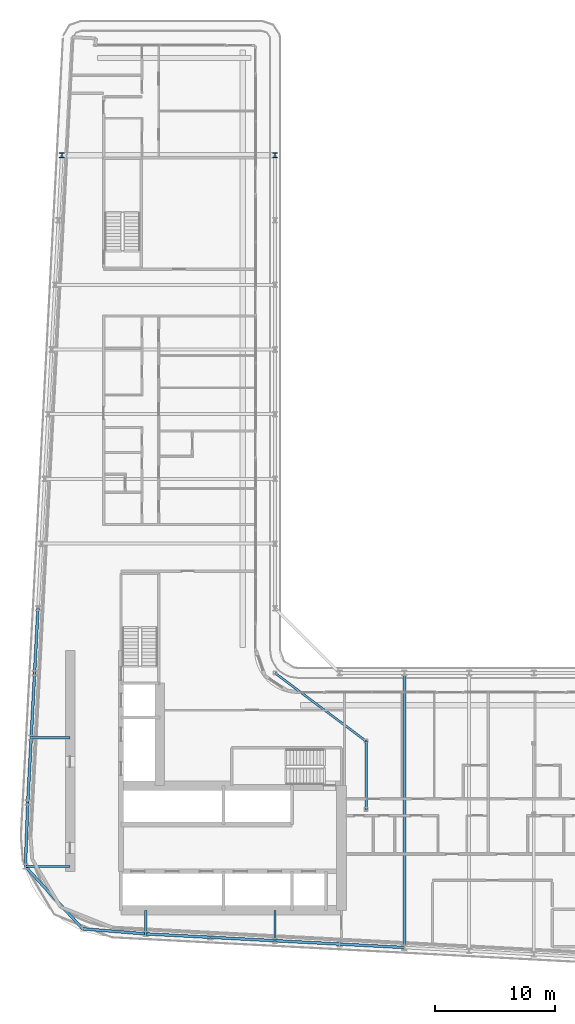
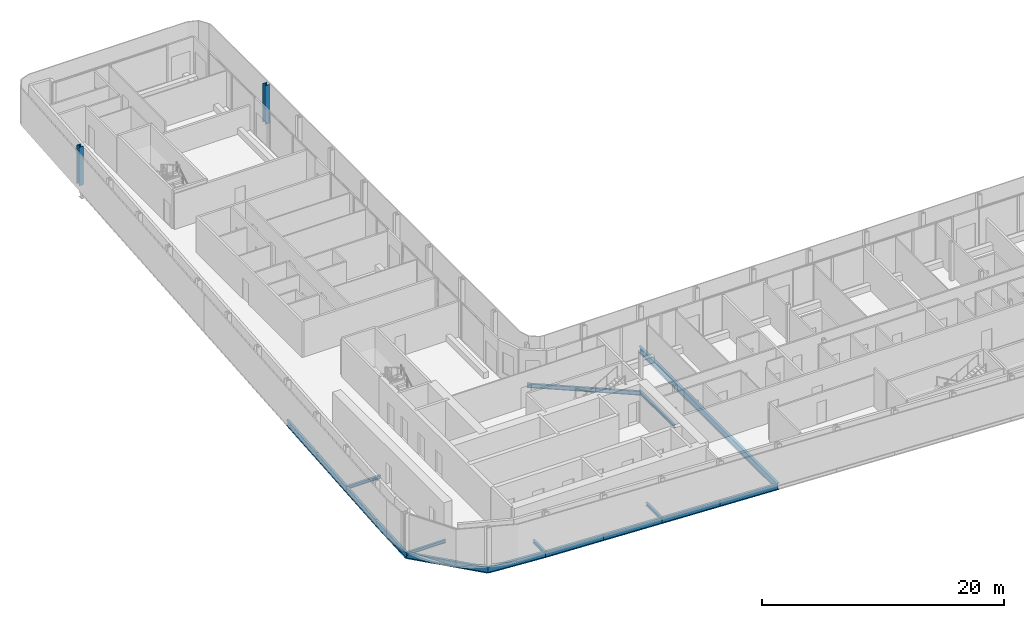
# One storey, part 5 of 28: 17 beams, 2 columns.
"""IFC4 building model written with IfcOpenShell, lengths in metres."""

from ifc_helpers import new_model, si_unit, direction, frame, origin, origin_2d, place, context, subcontext, project, spatial, i_section, extrude, material, material_profile, profile_set, type_object, element, save


model = new_model("IFC4")

# Units and contexts
model_context = context("Model", 3, precision=1e-05, world=origin(), true_north=direction((0.0, 1.0)))
body_context = subcontext(model_context, "Body", "Model", "MODEL_VIEW")
ifc_project = project(units=[si_unit("LENGTHUNIT", "METRE"), si_unit("AREAUNIT", "SQUARE_METRE"), si_unit("VOLUMEUNIT", "CUBIC_METRE"), si_unit("PLANEANGLEUNIT", "RADIAN"), si_unit("MASSUNIT", "GRAM", prefix="KILO")], contexts=[model_context])

# Site, building, storey
site_placement = place(None, origin())
site = spatial("IfcSite", under=ifc_project, at=site_placement, CompositionType="ELEMENT")
building_placement = place(site_placement, origin())
building = spatial("IfcBuilding", under=site, at=building_placement, Name="Kheshtan School and Residences Tower", CompositionType="ELEMENT")
storey_placement = place(building_placement, frame((0.0, 0.0, 191.60009765625)))
storey = spatial("IfcBuildingStorey", under=building, at=storey_placement, Name="L45", CompositionType="ELEMENT", Elevation=191.60009765625)

# Columns
ifc_material = material(Name="Steel ASTM A992 Grade 50", Category="steel")
ifc_material_profile_1 = material_profile(ifc_material, i_section(OverallWidth=0.408935546875, OverallDepth=0.425048828125, WebThickness=0.03271484375, FlangeThickness=0.052490234375, FilletRadius=0.0126953125, at=origin_2d()), Name="W360x421")
ifc_profile_set_1 = profile_set([ifc_material_profile_1], Name="Steel ASTM A992 Grade 50")
column_type = type_object("IfcColumnType", Name="Column C3 W360x421 ASTM A992 Grade 50", PredefinedType="COLUMN", material=ifc_profile_set_1)
for number, where, z_axis, x_axis, name in (
    (1, (29.81103515625, 88.800048828125, 0.0), (0.0, 0.0, 1.0), (1.0, 0.0, 0.0), "Column C098"),
    (2, (47.60009765625, 88.800048828125, 0.0), (0.0, 0.0, 1.0), (1.0, 0.0, 0.0), "Column C099"),
):
    element("IfcColumn", number, at=place(storey_placement, frame(where, z_axis=z_axis, x_axis=x_axis)), inside=storey, type_object=column_type, Name=name, PredefinedType="COLUMN", context=body_context, shape_type="SweptSolid", body=[
        extrude(i_section(OverallWidth=0.408935546875, OverallDepth=0.425048828125, WebThickness=0.03271484375, FlangeThickness=0.052490234375, FilletRadius=0.0126953125, at=origin_2d()), origin(), (0.0, 0.0, 1.0), 3.89990234375),
    ])

# Beams
ifc_material_profile_2 = material_profile(ifc_material, i_section(OverallWidth=0.202880859375, OverallDepth=0.302978515625, WebThickness=0.007568359375, FlangeThickness=0.01318359375, FilletRadius=0.009033203125, at=origin_2d()), Name="W310x60")
ifc_profile_set_2 = profile_set([ifc_material_profile_2], Name="Steel ASTM A992 Grade 50")
beam_type_1 = type_object("IfcBeamType", Name="Beam FB1 W310x60 ASTM A992 Grade 50", PredefinedType="BEAM", material=ifc_profile_set_2)
beam_1_placement = place(storey_placement, frame((47.60009765625, 23.263916015625, -0.301513671875), z_axis=(0.0, 1.0, 0.0), x_axis=(-1.0, 0.0, 0.0)))
element("IfcBeam", 3, at=beam_1_placement, inside=storey, type_object=beam_type_1, Name="Floor beam C020", PredefinedType="BEAM", context=body_context, shape_type="SweptSolid", body=[
    extrude(i_section(OverallWidth=0.202880859375, OverallDepth=0.302978515625, WebThickness=0.007568359375, FlangeThickness=0.01318359375, FilletRadius=0.009033203125, at=origin_2d()), origin(), (0.0, 0.0, 1.0), 2.5361328125),
])
beam_2_placement = place(storey_placement, frame((36.800048828125, 23.83203125, -0.301513671875), z_axis=(0.0, 1.0, 0.0), x_axis=(-1.0, 0.0, 0.0)))
element("IfcBeam", 4, at=beam_2_placement, inside=storey, type_object=beam_type_1, Name="Floor beam C022", PredefinedType="BEAM", context=body_context, shape_type="SweptSolid", body=[
    extrude(i_section(OverallWidth=0.202880859375, OverallDepth=0.302978515625, WebThickness=0.007568359375, FlangeThickness=0.01318359375, FilletRadius=0.009033203125, at=origin_2d()), origin(), (0.0, 0.0, 1.0), 1.968017578125),
])
beam_3_placement = place(storey_placement, frame((26.76904296875, 29.4541015625, -0.301513671875), z_axis=(1.0, 0.0, 0.0), x_axis=(0.0, 1.0, 0.0)))
element("IfcBeam", 5, at=beam_3_placement, inside=storey, type_object=beam_type_1, Name="Floor beam C038", PredefinedType="BEAM", context=body_context, shape_type="SweptSolid", body=[
    extrude(i_section(OverallWidth=0.202880859375, OverallDepth=0.302978515625, WebThickness=0.007568359375, FlangeThickness=0.01318359375, FilletRadius=0.009033203125, at=origin_2d()), origin(), (0.0, 0.0, 1.0), 3.73095703125),
])
beam_4_placement = place(storey_placement, frame((27.2529296875, 40.199951171875, -0.301513671875), z_axis=(1.0, 0.0, 0.0), x_axis=(0.0, 1.0, 0.0)))
element("IfcBeam", 6, at=beam_4_placement, inside=storey, type_object=beam_type_1, Name="Floor beam C056", PredefinedType="BEAM", context=body_context, shape_type="SweptSolid", body=[
    extrude(i_section(OverallWidth=0.202880859375, OverallDepth=0.302978515625, WebThickness=0.007568359375, FlangeThickness=0.01318359375, FilletRadius=0.009033203125, at=origin_2d()), origin(), (0.0, 0.0, 1.0), 3.2470703125),
])
beam_5_placement = place(storey_placement, frame((55.199951171875, 34.23193359375, -0.301513671875), z_axis=(0.0, 1.0, 0.0), x_axis=(-1.0, 0.0, 0.0)))
element("IfcBeam", 7, at=beam_5_placement, inside=storey, type_object=beam_type_1, Name="Floor beam IC", PredefinedType="BEAM", context=body_context, shape_type="SweptSolid", body=[
    extrude(i_section(OverallWidth=0.202880859375, OverallDepth=0.302978515625, WebThickness=0.007568359375, FlangeThickness=0.01318359375, FilletRadius=0.009033203125, at=origin_2d()), origin(), (0.0, 0.0, 1.0), 5.68408203125),
])
ifc_material_profile_3 = material_profile(ifc_material, i_section(OverallWidth=0.180908203125, OverallDepth=0.4169921875, WebThickness=0.010986328125, FlangeThickness=0.018310546875, FilletRadius=0.012451171875, at=origin_2d()), Name="W410x85")
ifc_profile_set_3 = profile_set([ifc_material_profile_3], Name="Steel ASTM A992 Grade 50")
beam_type_2 = type_object("IfcBeamType", Name="Beam FB3 W410x85 ASTM A992 Grade 50", PredefinedType="BEAM", material=ifc_profile_set_3)
beam_6_placement = place(storey_placement, frame((47.60009765625, 45.60009765625, -0.358642578125), z_axis=(0.800798828004, -0.598933416222, 0.0), x_axis=(0.598933416222, 0.800798828004, 0.0)))
element("IfcBeam", 8, at=beam_6_placement, inside=storey, type_object=beam_type_2, Name="Floor beam IC", PredefinedType="BEAM", context=body_context, shape_type="SweptSolid", body=[
    extrude(i_section(OverallWidth=0.180908203125, OverallDepth=0.4169921875, WebThickness=0.010986328125, FlangeThickness=0.018310546875, FilletRadius=0.012451171875, at=origin_2d()), origin(), (0.0, 0.0, 1.0), 9.490234375),
])
ifc_material_profile_4 = material_profile(ifc_material, i_section(OverallWidth=0.2529296875, OverallDepth=0.677978515625, WebThickness=0.01171875, FlangeThickness=0.016357421875, FilletRadius=0.0146484375, at=origin_2d()), Name="W690x125")
ifc_profile_set_4 = profile_set([ifc_material_profile_4], Name="Steel ASTM A992 Grade 50")
beam_type_3 = type_object("IfcBeamType", Name="Beam FB6 W690x125 ASTM A992 Grade 50", PredefinedType="BEAM", material=ifc_profile_set_4)
beam_7_placement = place(storey_placement, frame((58.39990234375, 22.695068359375, -0.489013671875), z_axis=(0.0, 1.0, 0.0), x_axis=(-1.0, 0.0, 0.0)))
element("IfcBeam", 9, at=beam_7_placement, inside=storey, type_object=beam_type_3, Name="Floor beam C018", PredefinedType="BEAM", context=body_context, shape_type="SweptSolid", body=[
    extrude(i_section(OverallWidth=0.2529296875, OverallDepth=0.677978515625, WebThickness=0.01171875, FlangeThickness=0.016357421875, FilletRadius=0.0146484375, at=origin_2d()), origin(), (0.0, 0.0, 1.0), 22.905029296875),
])
ifc_material_profile_5 = material_profile(ifc_material, i_section(OverallWidth=0.22802734375, OverallDepth=0.60302734375, WebThickness=0.010498046875, FlangeThickness=0.014892578125, FilletRadius=0.013427734375, at=origin_2d()), Name="W610x101")
ifc_profile_set_5 = profile_set([ifc_material_profile_5], Name="Steel ASTM A992 Grade 50")
beam_type_4 = type_object("IfcBeamType", Name="Beam SP2 W610x101 ASTM A992 Grade 50", PredefinedType="BEAM", material=ifc_profile_set_5)
for number, where, z_axis, x_axis, name in (
    (10, (58.39990234375, 22.695068359375, -0.45166015625), (-0.998610961136, 0.052689166816, 0.0), (-0.052689166816, -0.998610961136, 0.0), "Spandrel beam C018-C019"),
    (11, (53.0, 22.97998046875, -0.45166015625), (-0.998620447272, 0.05250906864, 0.0), (-0.05250906864, -0.998620447272, 0.0), "Spandrel beam C019-C020"),
):
    element("IfcBeam", number, at=place(storey_placement, frame(where, z_axis=z_axis, x_axis=x_axis)), inside=storey, type_object=beam_type_4, Name=name, PredefinedType="BEAM", context=body_context, shape_type="SweptSolid", body=[
        extrude(i_section(OverallWidth=0.22802734375, OverallDepth=0.60302734375, WebThickness=0.010498046875, FlangeThickness=0.014892578125, FilletRadius=0.013427734375, at=origin_2d()), origin(), (0.0, 0.0, 1.0), 5.407470703125),
    ])
beam_8_placement = place(storey_placement, frame((47.60009765625, 23.263916015625, -0.45166015625), z_axis=(-0.998618203458, 0.052551724256, 0.0), x_axis=(-0.052551724256, -0.998618203458, 0.0)))
element("IfcBeam", 12, at=beam_8_placement, inside=storey, type_object=beam_type_4, Name="Spandrel beam C020-C021", PredefinedType="BEAM", context=body_context, shape_type="SweptSolid", body=[
    extrude(i_section(OverallWidth=0.22802734375, OverallDepth=0.60302734375, WebThickness=0.010498046875, FlangeThickness=0.014892578125, FilletRadius=0.013427734375, at=origin_2d()), origin(), (0.0, 0.0, 1.0), 5.40771484375),
])
beam_9_placement = place(storey_placement, frame((42.199951171875, 23.548095703125, -0.45166015625), z_axis=(-0.998620447272, 0.05250906864, 0.0), x_axis=(-0.05250906864, -0.998620447272, 0.0)))
element("IfcBeam", 13, at=beam_9_placement, inside=storey, type_object=beam_type_4, Name="Spandrel beam C021-C022", PredefinedType="BEAM", context=body_context, shape_type="SweptSolid", body=[
    extrude(i_section(OverallWidth=0.22802734375, OverallDepth=0.60302734375, WebThickness=0.010498046875, FlangeThickness=0.014892578125, FilletRadius=0.013427734375, at=origin_2d()), origin(), (0.0, 0.0, 1.0), 5.407470703125),
])
beam_10_placement = place(storey_placement, frame((36.800048828125, 23.83203125, -0.45166015625), z_axis=(-0.996748565693, 0.08057479003, 0.0), x_axis=(-0.08057479003, -0.996748565693, 0.0)))
element("IfcBeam", 14, at=beam_10_placement, inside=storey, type_object=beam_type_4, Name="Spandrel beam C022-C025", PredefinedType="BEAM", context=body_context, shape_type="SweptSolid", body=[
    extrude(i_section(OverallWidth=0.22802734375, OverallDepth=0.60302734375, WebThickness=0.010498046875, FlangeThickness=0.014892578125, FilletRadius=0.013427734375, at=origin_2d()), origin(), (0.0, 0.0, 1.0), 5.275146484375),
])
beam_11_placement = place(storey_placement, frame((31.5419921875, 24.257080078125, -0.45166015625), z_axis=(-0.676418406149, 0.736517576045, 0.0), x_axis=(-0.736517576045, -0.676418406149, 0.0)))
element("IfcBeam", 15, at=beam_11_placement, inside=storey, type_object=beam_type_4, Name="Spandrel beam C025-C038", PredefinedType="BEAM", context=body_context, shape_type="SweptSolid", body=[
    extrude(i_section(OverallWidth=0.22802734375, OverallDepth=0.60302734375, WebThickness=0.010498046875, FlangeThickness=0.014892578125, FilletRadius=0.013427734375, at=origin_2d()), origin(), (0.0, 0.0, 1.0), 7.05615234375),
])
beam_12_placement = place(storey_placement, frame((26.76904296875, 29.4541015625, -0.45166015625), z_axis=(0.037376249491, 0.999301263871, 0.0), x_axis=(-0.999301263871, 0.037376249491, 0.0)))
element("IfcBeam", 16, at=beam_12_placement, inside=storey, type_object=beam_type_4, Name="Spandrel beam C038-C052", PredefinedType="BEAM", context=body_context, shape_type="SweptSolid", body=[
    extrude(i_section(OverallWidth=0.22802734375, OverallDepth=0.60302734375, WebThickness=0.010498046875, FlangeThickness=0.014892578125, FilletRadius=0.013427734375, at=origin_2d()), origin(), (0.0, 0.0, 1.0), 5.349609375),
])
beam_13_placement = place(storey_placement, frame((26.968994140625, 34.800048828125, -0.45166015625), z_axis=(0.05250906864, 0.998620447272, 0.0), x_axis=(-0.998620447272, 0.05250906864, 0.0)))
element("IfcBeam", 17, at=beam_13_placement, inside=storey, type_object=beam_type_4, Name="Spandrel beam C052-C056", PredefinedType="BEAM", context=body_context, shape_type="SweptSolid", body=[
    extrude(i_section(OverallWidth=0.22802734375, OverallDepth=0.60302734375, WebThickness=0.010498046875, FlangeThickness=0.014892578125, FilletRadius=0.013427734375, at=origin_2d()), origin(), (0.0, 0.0, 1.0), 5.407470703125),
])
beam_14_placement = place(storey_placement, frame((27.2529296875, 40.199951171875, -0.45166015625), z_axis=(0.052551724256, 0.998618203458, 0.0), x_axis=(-0.998618203458, 0.052551724256, 0.0)))
element("IfcBeam", 18, at=beam_14_placement, inside=storey, type_object=beam_type_4, Name="Spandrel beam C056-C059", PredefinedType="BEAM", context=body_context, shape_type="SweptSolid", body=[
    extrude(i_section(OverallWidth=0.22802734375, OverallDepth=0.60302734375, WebThickness=0.010498046875, FlangeThickness=0.014892578125, FilletRadius=0.013427734375, at=origin_2d()), origin(), (0.0, 0.0, 1.0), 5.40771484375),
])
beam_15_placement = place(storey_placement, frame((27.537109375, 45.60009765625, -0.45166015625), z_axis=(0.052689166816, 0.998610961136, 0.0), x_axis=(-0.998610961136, 0.052689166816, 0.0)))
element("IfcBeam", 19, at=beam_15_placement, inside=storey, type_object=beam_type_4, Name="Spandrel beam C059-C078", PredefinedType="BEAM", context=body_context, shape_type="SweptSolid", body=[
    extrude(i_section(OverallWidth=0.22802734375, OverallDepth=0.60302734375, WebThickness=0.010498046875, FlangeThickness=0.014892578125, FilletRadius=0.013427734375, at=origin_2d()), origin(), (0.0, 0.0, 1.0), 5.407470703125),
])

save(model, "model.ifc")
